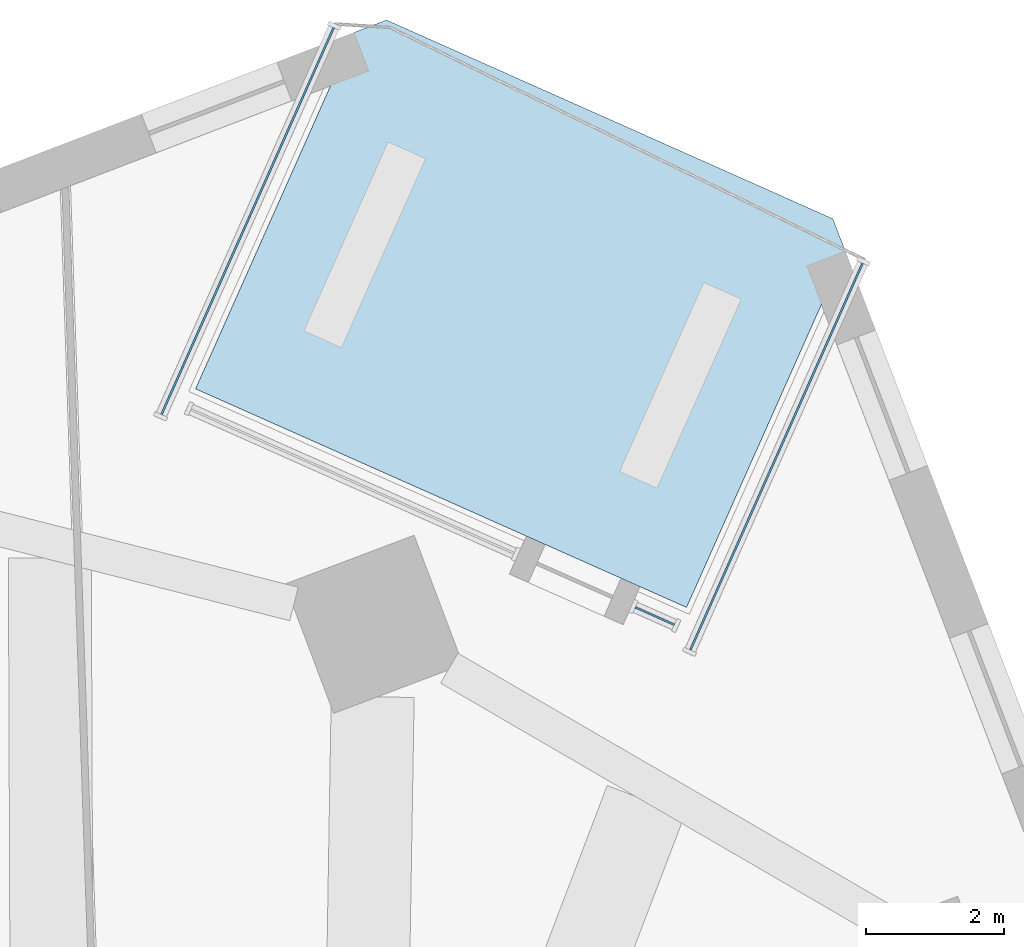
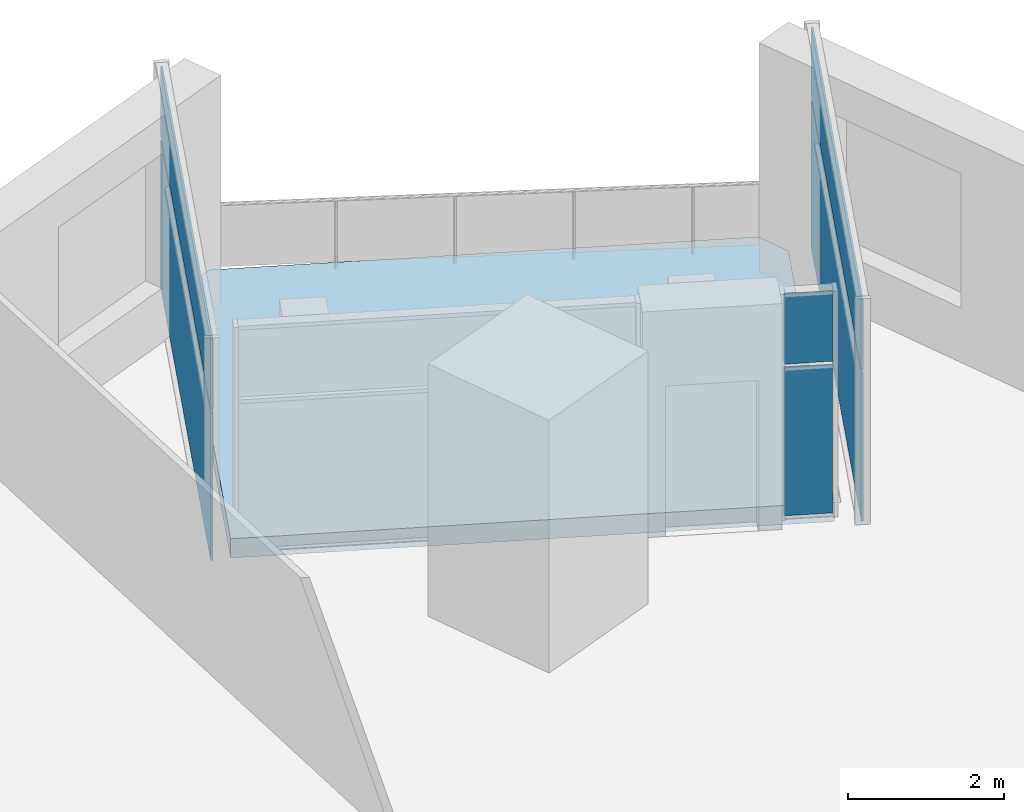
# One storey, part 6 of 14: 6 plates, 1 slab, 3 elements without a shape of their own.
"""IFC4 building model written with IfcOpenShell, lengths in metres."""

from ifc_helpers import new_model, si_unit, direction, frame, origin, origin_2d, place, context, subcontext, project, spatial, polyline, rectangle, outline, extrude, material, layer, layer_set, type_object, element, aggregate, save


model = new_model("IFC4")

# Units and contexts
model_context = context("Model", 3, precision=1e-05, world=origin(), true_north=direction((0.0, 1.0)))
body_context = subcontext(model_context, "Body", "Model", "MODEL_VIEW")
ifc_project = project(units=[si_unit("LENGTHUNIT", "METRE"), si_unit("AREAUNIT", "SQUARE_METRE"), si_unit("VOLUMEUNIT", "CUBIC_METRE"), si_unit("PLANEANGLEUNIT", "RADIAN"), si_unit("MASSUNIT", "GRAM", prefix="KILO")], contexts=[model_context])

# Site, building, storey
site_placement = place(None, origin())
site = spatial("IfcSite", under=ifc_project, at=site_placement, CompositionType="ELEMENT")
building_placement = place(site_placement, origin())
building = spatial("IfcBuilding", under=site, at=building_placement, Name="Dilmun Exchange Tower", CompositionType="ELEMENT")
storey_placement = place(building_placement, frame((0.0, 0.0, 102.10009765625)))
storey = spatial("IfcBuildingStorey", under=building, at=storey_placement, Name="L23", CompositionType="ELEMENT", Elevation=102.10009765625)

# Curtain wall, plates
ifc_material_1 = material(Name="Anodised aluminium and clear glass", Category="aluminium")
curtain_wall_type = type_object("IfcCurtainWallType", Name="Garden corner glazing", PredefinedType="NOTDEFINED", material=ifc_material_1)
curtain_wall_1_placement = place(storey_placement, origin())
curtain_wall_1 = element("IfcCurtainWall", 1, at=curtain_wall_1_placement, inside=storey, type_object=curtain_wall_type, Name="Garden corner glazing run GC1.1", PredefinedType="NOTDEFINED")
ifc_material_2 = material(Name="Clear glass", Category="glass")
ifc_layer_1 = layer(ifc_material_2, 0.028076171875)
ifc_layer_set_1 = layer_set([ifc_layer_1], Name="Clear glass")
plate_type = type_object("IfcPlateType", Name="Garden corner glazing glass panel 28", PredefinedType="CURTAIN_PANEL", material=ifc_layer_set_1)
plate_1_placement = place(storey_placement, frame((18.94775390625, 28.781494140625, 0.059814453125), z_axis=(0.0, 0.0, 1.0), x_axis=(-0.406742926585, -0.913542660018, 0.0)))
plate_1 = element("IfcPlate", 2, at=plate_1_placement, type_object=plate_type, Name="GC1.1 panel 1.1", PredefinedType="CURTAIN_PANEL", context=body_context, shape_type="SweptSolid", body=[
    extrude(rectangle(XDim=6.12646484375, YDim=0.028076171875, at=origin_2d()), origin(), (0.0, 0.0, 1.0), 2.31005859375),
])
plate_2_placement = place(storey_placement, frame((18.94775390625, 28.781494140625, 2.4296875), z_axis=(0.0, 0.0, 1.0), x_axis=(-0.406742926585, -0.913542660018, 0.0)))
plate_2 = element("IfcPlate", 3, at=plate_2_placement, type_object=plate_type, Name="GC1.1 panel 1.2", PredefinedType="CURTAIN_PANEL", context=body_context, shape_type="SweptSolid", body=[
    extrude(rectangle(XDim=6.12646484375, YDim=0.028076171875, at=origin_2d()), origin(), (0.0, 0.0, 1.0), 1.090087890625),
])
aggregate(curtain_wall_1, [plate_1, plate_2])

curtain_wall_2_placement = place(storey_placement, origin())
curtain_wall_2 = element("IfcCurtainWall", 4, at=curtain_wall_2_placement, inside=storey, type_object=curtain_wall_type, Name="Garden corner glazing run GC2.1", PredefinedType="NOTDEFINED")
plate_3_placement = place(storey_placement, frame((17.18798828125, 26.474609375, 0.059814453125), z_axis=(0.0, 0.0, 1.0), x_axis=(-0.913504435654, 0.406828767469, 0.0)))
plate_3 = element("IfcPlate", 5, at=plate_3_placement, type_object=plate_type, Name="GC2.1 panel 1.1", PredefinedType="CURTAIN_PANEL", context=body_context, shape_type="SweptSolid", body=[
    extrude(rectangle(XDim=0.619140625, YDim=0.028076171875, at=origin_2d()), origin(), (0.0, 0.0, 1.0), 2.31005859375),
])
plate_4_placement = place(storey_placement, frame((17.18798828125, 26.474609375, 2.4296875), z_axis=(0.0, 0.0, 1.0), x_axis=(-0.913504435654, 0.406828767469, 0.0)))
plate_4 = element("IfcPlate", 6, at=plate_4_placement, type_object=plate_type, Name="GC2.1 panel 1.2", PredefinedType="CURTAIN_PANEL", context=body_context, shape_type="SweptSolid", body=[
    extrude(rectangle(XDim=0.619140625, YDim=0.028076171875, at=origin_2d()), origin(), (0.0, 0.0, 1.0), 1.090087890625),
])
aggregate(curtain_wall_2, [plate_3, plate_4])

curtain_wall_3_placement = place(storey_placement, origin())
curtain_wall_3 = element("IfcCurtainWall", 7, at=curtain_wall_3_placement, inside=storey, type_object=curtain_wall_type, Name="Garden corner glazing run GC3.1", PredefinedType="NOTDEFINED")
plate_5_placement = place(storey_placement, frame((11.2939453125, 32.189208984375, 0.059814453125), z_axis=(0.0, 0.0, 1.0), x_axis=(0.406742926585, 0.913542660018, 0.0)))
plate_5 = element("IfcPlate", 8, at=plate_5_placement, type_object=plate_type, Name="GC3.1 panel 1.1", PredefinedType="CURTAIN_PANEL", context=body_context, shape_type="SweptSolid", body=[
    extrude(rectangle(XDim=6.12646484375, YDim=0.028076171875, at=origin_2d()), origin(), (0.0, 0.0, 1.0), 2.31005859375),
])
plate_6_placement = place(storey_placement, frame((11.2939453125, 32.189208984375, 2.4296875), z_axis=(0.0, 0.0, 1.0), x_axis=(0.406742926585, 0.913542660018, 0.0)))
plate_6 = element("IfcPlate", 9, at=plate_6_placement, type_object=plate_type, Name="GC3.1 panel 1.2", PredefinedType="CURTAIN_PANEL", context=body_context, shape_type="SweptSolid", body=[
    extrude(rectangle(XDim=6.12646484375, YDim=0.028076171875, at=origin_2d()), origin(), (0.0, 0.0, 1.0), 1.090087890625),
])
aggregate(curtain_wall_3, [plate_5, plate_6])

# Slab
ifc_material_3 = material(Name="Concrete C40/50", Category="concrete")
ifc_layer_2 = layer(ifc_material_3, 0.300048828125)
ifc_layer_set_2 = layer_set([ifc_layer_2], Name="Concrete C40/50")
slab_type = type_object("IfcSlabType", Name="RC garden terrace slab 300", PredefinedType="FLOOR", material=ifc_layer_set_2)
slab_placement = place(storey_placement, frame((0.0, 0.0, -0.300048828125)))
element("IfcSlab", 10, at=slab_placement, inside=storey, type_object=slab_type, Name="Garden terrace slab", PredefinedType="FLOOR", context=body_context, shape_type="SweptSolid", body=[
    extrude(outline(polyline([(10.541748046875, 29.761962890625), (12.83837890625, 34.92041015625), (13.30517578125, 35.099609375), (19.764892578125, 32.223388671875), (19.944091796875, 31.756591796875), (17.6474609375, 26.598388671875), (10.541748046875, 29.761962890625)])), origin(), (0.0, 0.0, 1.0), 0.300048828125),
])

save(model, "model.ifc")
